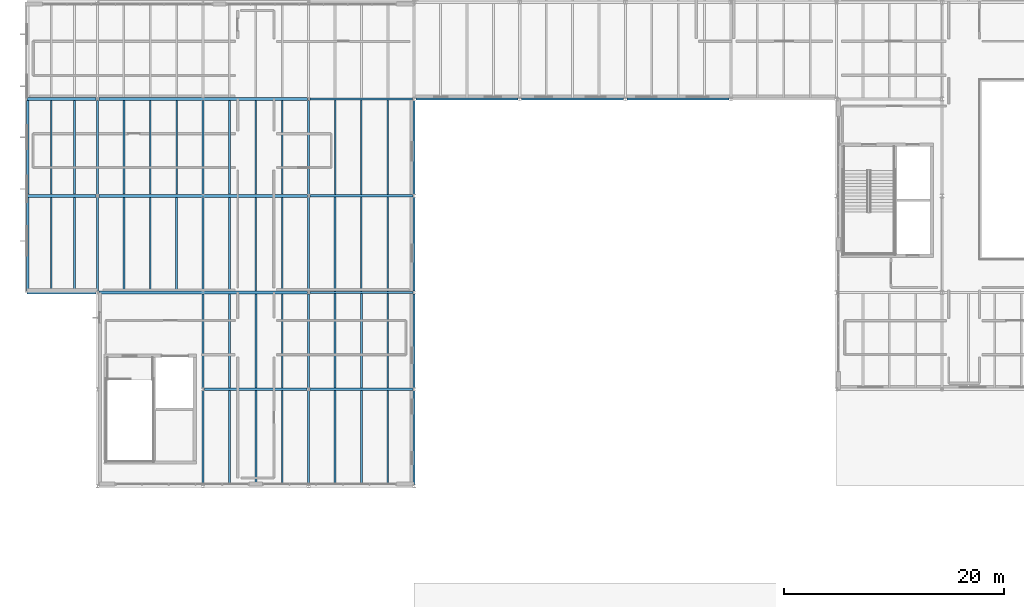
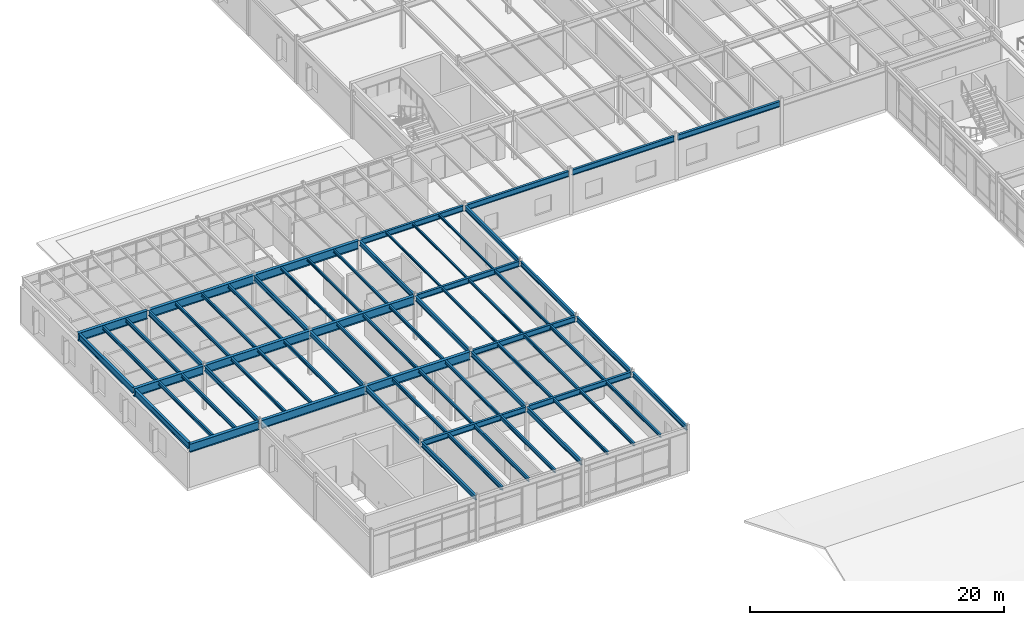
# One storey, part 19 of 69: 64 beams.
"""IFC4 building model written with IfcOpenShell, lengths in metres."""

import ifcopenshell
import ifcopenshell.guid

model = None  # the IFC model being written
_history = None  # IfcOwnerHistory: only IFC2X3 demands one
_inside = {}  # id of a spatial element -> (the spatial element, [elements in it])
_under = {}  # id of a project, library or spatial element -> (it, [spatial elements below it])
_declared = {}  # id of a project -> (the project, [libraries it declares])
_typed = {}  # id of a type object -> (the type object, [elements of that type])
_made_of = {}  # id of a material, layer set ... -> (it, [elements and type objects made of it])


def new_model(schema):
    """Start an empty IFC model of exactly this schema.

    Asked for "IFC4X3", IfcOpenShell would pick the latest addendum, in which some entities
    have other attributes; the version numbers below select the first issue.
    IFC2X3 requires an IfcOwnerHistory on every rooted entity: one is made here for all.
    """
    global model, _history
    if schema == "IFC4X3":
        model = ifcopenshell.file(schema_version=(4, 3, 0, 0))
    else:
        model = ifcopenshell.file(schema=schema)
    _inside.clear()
    _under.clear()
    _declared.clear()
    _typed.clear()
    _made_of.clear()
    _history = None
    if model.schema == "IFC2X3":
        org = make("IfcOrganization", Name="unknown")
        user = make(
            "IfcPersonAndOrganization",
            ThePerson=make("IfcPerson", FamilyName="unknown"),
            TheOrganization=org,
        )
        app = make(
            "IfcApplication",
            ApplicationDeveloper=org,
            Version="unknown",
            ApplicationFullName="unknown",
            ApplicationIdentifier="unknown",
        )
        _history = make(
            "IfcOwnerHistory",
            OwningUser=user,
            OwningApplication=app,
            ChangeAction="ADDED",
            CreationDate=0,
        )
    return model


def make(cls, **values):
    """One entity of the class cls with the attributes given. An attribute that is None is left unset."""
    return model.create_entity(
        cls, **{name: value for name, value in values.items() if value is not None}
    )


def rooted(cls, **values):
    """An entity with a GlobalId (a new one), such as an element, a storey or a relation."""
    return make(cls, GlobalId=ifcopenshell.guid.new(), OwnerHistory=_history, **values)


def si_unit(unit_type, name, prefix=None):
    """IfcSIUnit, for example si_unit("LENGTHUNIT", "METRE", prefix="MILLI")."""
    return make("IfcSIUnit", UnitType=unit_type, Prefix=prefix, Name=name)


def assignment(units):
    """IfcUnitAssignment: the units of a project."""
    return None if units is None else make("IfcUnitAssignment", Units=units)


def point(xyz):
    """IfcCartesianPoint."""
    return None if xyz is None else make("IfcCartesianPoint", Coordinates=xyz)


def direction(xyz):
    """IfcDirection."""
    return None if xyz is None else make("IfcDirection", DirectionRatios=xyz)


def frame(location, z_axis=None, x_axis=None):
    """IfcAxis2Placement3D, a coordinate frame: its origin and axes. An axis left out is left unset."""
    return make(
        "IfcAxis2Placement3D",
        Location=point(location),
        Axis=direction(z_axis),
        RefDirection=direction(x_axis),
    )


def frame_2d(location, x_axis=None):
    """IfcAxis2Placement2D, a coordinate frame in the plane: its origin and x axis."""
    return make(
        "IfcAxis2Placement2D", Location=point(location), RefDirection=direction(x_axis)
    )


def origin():
    """The frame at (0, 0, 0) with its axes left unset."""
    return frame((0.0, 0.0, 0.0))


def origin_2d():
    """The frame at (0, 0) in the plane with its x axis left unset."""
    return frame_2d((0.0, 0.0))


def place(relative_to, where):
    """IfcLocalPlacement: puts the frame where relative to a parent placement (None: the world)."""
    return make(
        "IfcLocalPlacement", PlacementRelTo=relative_to, RelativePlacement=where
    )


def context(
    kind, dimensions, precision=None, world=None, true_north=None, identifier=None
):
    """IfcGeometricRepresentationContext, for example the 3D "Model" context."""
    return make(
        "IfcGeometricRepresentationContext",
        ContextIdentifier=identifier,
        ContextType=kind,
        CoordinateSpaceDimension=dimensions,
        Precision=precision,
        WorldCoordinateSystem=world,
        TrueNorth=true_north,
    )


def subcontext(parent, identifier, kind, view, scale=None):
    """IfcGeometricRepresentationSubContext, for example "Body" below "Model"."""
    return make(
        "IfcGeometricRepresentationSubContext",
        ContextIdentifier=identifier,
        ContextType=kind,
        ParentContext=parent,
        TargetScale=scale,
        TargetView=view,
    )


def project(units=None, contexts=None):
    """IfcProject with its units and contexts."""
    return rooted(
        "IfcProject",
        Name="project",
        RepresentationContexts=contexts,
        UnitsInContext=assignment(units),
    )


def spatial(cls, under=None, at=None, **own):
    """A site, building, storey or space (cls), placed at a placement, below another one or the project."""
    s = rooted(cls, ObjectPlacement=at, **own)
    if under is not None:
        _under.setdefault(under.id(), (under, []))[1].append(s)
    return s


def profile(cls, at=None, kind="AREA", **sizes):
    """A parametric profile (cls). Its sizes go by their IFC names, for example OverallWidth=200.0."""
    return make(cls, ProfileType=kind, Position=at, **sizes)


def i_section(**sizes):
    """IfcIShapeProfileDef."""
    return profile("IfcIShapeProfileDef", **sizes)


def extrude(swept, where, along, depth):
    """IfcExtrudedAreaSolid: the profile swept, set in the frame where, extruded along a direction by depth."""
    return make(
        "IfcExtrudedAreaSolid",
        SweptArea=swept,
        Position=where,
        ExtrudedDirection=direction(along),
        Depth=depth,
    )


def shape(context_of_items, identifier, shape_type, items):
    """IfcShapeRepresentation: the items that make up one representation, for example the "Body"."""
    return make(
        "IfcShapeRepresentation",
        ContextOfItems=context_of_items,
        RepresentationIdentifier=identifier,
        RepresentationType=shape_type,
        Items=items,
    )


def material(Name=None, Category=None):
    """IfcMaterial."""
    return make("IfcMaterial", Name=Name, Category=Category)


def material_profile(
    of_material, cross_section, Name=None, Category=None, Priority=None
):
    """IfcMaterialProfile: a cross section and its material."""
    return make(
        "IfcMaterialProfile",
        Name=Name,
        Material=of_material,
        Profile=cross_section,
        Priority=Priority,
        Category=Category,
    )


def profile_set(profiles, Name=None, composite=None):
    """IfcMaterialProfileSet."""
    return make(
        "IfcMaterialProfileSet",
        Name=Name,
        MaterialProfiles=profiles,
        CompositeProfile=composite,
    )


def made_of(thing, what):
    """Note that an element or type object is made of a material, layer set ...; save() writes the relation."""
    if what is not None:
        _made_of.setdefault(what.id(), (what, []))[1].append(thing)
    return thing


def type_object(cls, material=None, **own):
    """A type object (cls), such as IfcWallType, which elements share."""
    return made_of(rooted(cls, **own), material)


def element(
    cls,
    number,
    at=None,
    inside=None,
    cuts=None,
    type_object=None,
    material=None,
    context=None,
    identifier="Body",
    shape_type=None,
    held_by="IfcProductDefinitionShape",
    body=None,
    shapes=None,
    **own,
):
    """One element of the class cls, such as IfcWall. Its Tag is "e" and its number.

    at: its placement. inside: the storey or other place that contains it. cuts: it is an
    opening in that element (IfcRelVoidsElement). A single representation is given by context,
    identifier, shape_type and body (its items); several are given by shapes. held_by: the class
    of the entity that holds the representations. save() writes the other relations.
    """
    e = rooted(cls, Tag="e%d" % number, ObjectPlacement=at, **own)
    if body is not None:
        shapes = [shape(context, identifier, shape_type, body)]
    if shapes is not None:
        e.Representation = make(held_by, Representations=shapes)
    if inside is not None:
        _inside.setdefault(inside.id(), (inside, []))[1].append(e)
    if cuts is not None:
        rooted(
            "IfcRelVoidsElement", RelatingBuildingElement=cuts, RelatedOpeningElement=e
        )
    if type_object is not None:
        _typed.setdefault(type_object.id(), (type_object, []))[1].append(e)
    return made_of(e, material)


def aggregate(whole, parts):
    """IfcRelAggregates: a whole, such as a stair, and the parts it consists of."""
    return rooted("IfcRelAggregates", RelatingObject=whole, RelatedObjects=parts)


def save(model, path):
    """Write the relations noted so far, then the file.

    IfcRelAggregates (storeys below a building ...), IfcRelContainedInSpatialStructure (elements
    in a storey), IfcRelDefinesByType, IfcRelAssociatesMaterial and IfcRelDeclares: one each for
    every whole, place, type object, material and project.
    """
    for whole, parts in _under.values():
        aggregate(whole, parts)
    for where, things in _inside.values():
        rooted(
            "IfcRelContainedInSpatialStructure",
            RelatedElements=things,
            RelatingStructure=where,
        )
    for kind, things in _typed.values():
        rooted("IfcRelDefinesByType", RelatedObjects=things, RelatingType=kind)
    for what, things in _made_of.values():
        rooted("IfcRelAssociatesMaterial", RelatedObjects=things, RelatingMaterial=what)
    for by, libraries in _declared.values():
        rooted("IfcRelDeclares", RelatingContext=by, RelatedDefinitions=libraries)
    model.write(path)


model = new_model("IFC4")

# Units and contexts
model_context = context("Model", 3, precision=1e-05, world=origin(), true_north=direction((0.0, 1.0)))
body_context = subcontext(model_context, "Body", "Model", "MODEL_VIEW")
ifc_project = project(units=[si_unit("LENGTHUNIT", "METRE"), si_unit("AREAUNIT", "SQUARE_METRE"), si_unit("VOLUMEUNIT", "CUBIC_METRE"), si_unit("PLANEANGLEUNIT", "RADIAN"), si_unit("MASSUNIT", "GRAM", prefix="KILO")], contexts=[model_context])

# Site, building, storey
site_placement = place(None, origin())
site = spatial("IfcSite", under=ifc_project, at=site_placement, CompositionType="ELEMENT")
building_placement = place(site_placement, origin())
building = spatial("IfcBuilding", under=site, at=building_placement, Name="Sarnbrook Museum", CompositionType="ELEMENT")
storey_placement = place(building_placement, frame((0.0, 0.0, 14.60009765625)))
storey = spatial("IfcBuildingStorey", under=building, at=storey_placement, Name="L03", CompositionType="ELEMENT", Elevation=14.60009765625)

# Beams
ifc_material_1 = material(Name="Structural Steel Grade 300PLUS (AS/NZS 3679.1, fy = 280 MPa for 17 < t <= 40 mm, 300 MPa for t <= 17 mm)", Category="steel")
ifc_material_profile_1 = material_profile(ifc_material_1, i_section(OverallWidth=0.18994140625, OverallDepth=0.45703125, WebThickness=0.009033203125, FlangeThickness=0.014404296875, FilletRadius=0.011474609375, at=origin_2d()), Name="460UB74.6")
ifc_profile_set_1 = profile_set([ifc_material_profile_1], Name="Structural Steel Grade 300PLUS (AS/NZS 3679.1, fy = 280 MPa for 17 < t <= 40 mm, 300 MPa for t <= 17 mm)")
beam_type_1 = type_object("IfcBeamType", Name="BM-UB460", PredefinedType="BEAM", material=ifc_profile_set_1)
for number, where, z_axis, x_axis, name in (
    (1, (13.60009765625, 56.927001953125, 4.021484375), (0.0, 1.0, 0.0), (-1.0, 0.0, 0.0), "Girder 2:G-H L03"),
    (2, (13.60009765625, 65.72705078125, 4.021484375), (0.0, 1.0, 0.0), (-1.0, 0.0, 0.0), "Girder 2:H-J L03"),
):
    element("IfcBeam", number, at=place(storey_placement, frame(where, z_axis=z_axis, x_axis=x_axis)), inside=storey, type_object=beam_type_1, Name=name, PredefinedType="BEAM", context=body_context, shape_type="SweptSolid", body=[
        extrude(i_section(OverallWidth=0.18994140625, OverallDepth=0.45703125, WebThickness=0.009033203125, FlangeThickness=0.014404296875, FilletRadius=0.011474609375, at=origin_2d()), origin(), (0.0, 0.0, 1.0), 8.5458984375),
    ])
for number, where, z_axis, x_axis, name in (
    (3, (23.199951171875, 39.326904296875, 4.021484375), (0.0, 1.0, 0.0), (-1.0, 0.0, 0.0), "Girder 3:E-F L03"),
    (4, (23.199951171875, 48.126953125, 4.021484375), (0.0, 1.0, 0.0), (-1.0, 0.0, 0.0), "Girder 3:F-G L03"),
):
    element("IfcBeam", number, at=place(storey_placement, frame(where, z_axis=z_axis, x_axis=x_axis)), inside=storey, type_object=beam_type_1, Name=name, PredefinedType="BEAM", context=body_context, shape_type="SweptSolid", body=[
        extrude(i_section(OverallWidth=0.18994140625, OverallDepth=0.45703125, WebThickness=0.009033203125, FlangeThickness=0.014404296875, FilletRadius=0.011474609375, at=origin_2d()), origin(), (0.0, 0.0, 1.0), 8.546142578125),
    ])
for number, where, z_axis, x_axis, name in (
    (5, (23.199951171875, 56.927001953125, 4.021484375), (0.0, 1.0, 0.0), (-1.0, 0.0, 0.0), "Girder 3:G-H L03"),
    (6, (23.199951171875, 65.72705078125, 4.021484375), (0.0, 1.0, 0.0), (-1.0, 0.0, 0.0), "Girder 3:H-J L03"),
):
    element("IfcBeam", number, at=place(storey_placement, frame(where, z_axis=z_axis, x_axis=x_axis)), inside=storey, type_object=beam_type_1, Name=name, PredefinedType="BEAM", context=body_context, shape_type="SweptSolid", body=[
        extrude(i_section(OverallWidth=0.18994140625, OverallDepth=0.45703125, WebThickness=0.009033203125, FlangeThickness=0.014404296875, FilletRadius=0.011474609375, at=origin_2d()), origin(), (0.0, 0.0, 1.0), 8.5458984375),
    ])
for number, where, z_axis, x_axis, name in (
    (7, (32.800048828125, 39.326904296875, 4.021484375), (0.0, 1.0, 0.0), (-1.0, 0.0, 0.0), "Girder 4:E-F L03"),
    (8, (32.800048828125, 48.126953125, 4.021484375), (0.0, 1.0, 0.0), (-1.0, 0.0, 0.0), "Girder 4:F-G L03"),
):
    element("IfcBeam", number, at=place(storey_placement, frame(where, z_axis=z_axis, x_axis=x_axis)), inside=storey, type_object=beam_type_1, Name=name, PredefinedType="BEAM", context=body_context, shape_type="SweptSolid", body=[
        extrude(i_section(OverallWidth=0.18994140625, OverallDepth=0.45703125, WebThickness=0.009033203125, FlangeThickness=0.014404296875, FilletRadius=0.011474609375, at=origin_2d()), origin(), (0.0, 0.0, 1.0), 8.546142578125),
    ])
for number, where, z_axis, x_axis, name in (
    (9, (32.800048828125, 56.927001953125, 4.021484375), (0.0, 1.0, 0.0), (-1.0, 0.0, 0.0), "Girder 4:G-H L03"),
    (10, (32.800048828125, 65.72705078125, 4.021484375), (0.0, 1.0, 0.0), (-1.0, 0.0, 0.0), "Girder 4:H-J L03"),
):
    element("IfcBeam", number, at=place(storey_placement, frame(where, z_axis=z_axis, x_axis=x_axis)), inside=storey, type_object=beam_type_1, Name=name, PredefinedType="BEAM", context=body_context, shape_type="SweptSolid", body=[
        extrude(i_section(OverallWidth=0.18994140625, OverallDepth=0.45703125, WebThickness=0.009033203125, FlangeThickness=0.014404296875, FilletRadius=0.011474609375, at=origin_2d()), origin(), (0.0, 0.0, 1.0), 8.5458984375),
    ])
for number, where, z_axis, x_axis, name in (
    (11, (42.39990234375, 39.326904296875, 4.021484375), (0.0, 1.0, 0.0), (-1.0, 0.0, 0.0), "Girder 5:E-F L03"),
    (12, (42.39990234375, 48.126953125, 4.021484375), (0.0, 1.0, 0.0), (-1.0, 0.0, 0.0), "Girder 5:F-G L03"),
):
    element("IfcBeam", number, at=place(storey_placement, frame(where, z_axis=z_axis, x_axis=x_axis)), inside=storey, type_object=beam_type_1, Name=name, PredefinedType="BEAM", context=body_context, shape_type="SweptSolid", body=[
        extrude(i_section(OverallWidth=0.18994140625, OverallDepth=0.45703125, WebThickness=0.009033203125, FlangeThickness=0.014404296875, FilletRadius=0.011474609375, at=origin_2d()), origin(), (0.0, 0.0, 1.0), 8.546142578125),
    ])
beam_1_placement = place(storey_placement, frame((42.39990234375, 56.927001953125, 4.021484375), z_axis=(0.0, 1.0, 0.0), x_axis=(-1.0, 0.0, 0.0)))
element("IfcBeam", 13, at=beam_1_placement, inside=storey, type_object=beam_type_1, Name="Girder 5:G-H L03", PredefinedType="BEAM", context=body_context, shape_type="SweptSolid", body=[
    extrude(i_section(OverallWidth=0.18994140625, OverallDepth=0.45703125, WebThickness=0.009033203125, FlangeThickness=0.014404296875, FilletRadius=0.011474609375, at=origin_2d()), origin(), (0.0, 0.0, 1.0), 8.5458984375),
])
beam_2_placement = place(storey_placement, frame((42.39990234375, 65.72705078125, 4.021484375), z_axis=(0.0, 1.0, 0.0), x_axis=(-1.0, 0.0, 0.0)))
element("IfcBeam", 14, at=beam_2_placement, inside=storey, type_object=beam_type_1, Name="Girder 5:H-J L03", PredefinedType="BEAM", context=body_context, shape_type="SweptSolid", body=[
    extrude(i_section(OverallWidth=0.18994140625, OverallDepth=0.45703125, WebThickness=0.009033203125, FlangeThickness=0.014404296875, FilletRadius=0.011474609375, at=origin_2d()), origin(), (0.0, 0.0, 1.0), 8.515380859375),
])
ifc_material_profile_2 = material_profile(ifc_material_1, i_section(OverallWidth=0.208984375, OverallDepth=0.532958984375, WebThickness=0.01025390625, FlangeThickness=0.015625, FilletRadius=0.013916015625, at=origin_2d()), Name="530UB92.4")
ifc_profile_set_2 = profile_set([ifc_material_profile_2], Name="Structural Steel Grade 300PLUS (AS/NZS 3679.1, fy = 280 MPa for 17 < t <= 40 mm, 300 MPa for t <= 17 mm)")
beam_type_2 = type_object("IfcBeamType", Name="BM-UB530", PredefinedType="BEAM", material=ifc_profile_set_2)
beam_3_placement = place(storey_placement, frame((23.326904296875, 48.0, 3.9833984375), z_axis=(1.0, 0.0, 0.0), x_axis=(0.0, 1.0, 0.0)))
element("IfcBeam", 15, at=beam_3_placement, inside=storey, type_object=beam_type_2, Name="Girder F:3-4 L03", PredefinedType="BEAM", context=body_context, shape_type="SweptSolid", body=[
    extrude(i_section(OverallWidth=0.208984375, OverallDepth=0.532958984375, WebThickness=0.01025390625, FlangeThickness=0.015625, FilletRadius=0.013916015625, at=origin_2d()), origin(), (0.0, 0.0, 1.0), 9.34619140625),
])
for number, where, z_axis, x_axis, name in (
    (16, (32.927001953125, 48.0, 3.9833984375), (1.0, 0.0, 0.0), (0.0, 1.0, 0.0), "Girder F:4-5 L03"),
    (17, (32.927001953125, 56.800048828125, 3.9833984375), (1.0, 0.0, 0.0), (0.0, 1.0, 0.0), "Girder G:4-5 L03"),
    (18, (32.927001953125, 65.60009765625, 3.9833984375), (1.0, 0.0, 0.0), (0.0, 1.0, 0.0), "Girder H:4-5 L03"),
):
    element("IfcBeam", number, at=place(storey_placement, frame(where, z_axis=z_axis, x_axis=x_axis)), inside=storey, type_object=beam_type_2, Name=name, PredefinedType="BEAM", context=body_context, shape_type="SweptSolid", body=[
        extrude(i_section(OverallWidth=0.208984375, OverallDepth=0.532958984375, WebThickness=0.01025390625, FlangeThickness=0.015625, FilletRadius=0.013916015625, at=origin_2d()), origin(), (0.0, 0.0, 1.0), 9.345947265625),
    ])
beam_4_placement = place(storey_placement, frame((32.927001953125, 74.39990234375, 3.9833984375), z_axis=(1.0, 0.0, 0.0), x_axis=(0.0, 1.0, 0.0)))
element("IfcBeam", 19, at=beam_4_placement, inside=storey, type_object=beam_type_2, Name="Girder J:4-5 L03", PredefinedType="BEAM", context=body_context, shape_type="SweptSolid", body=[
    extrude(i_section(OverallWidth=0.208984375, OverallDepth=0.532958984375, WebThickness=0.01025390625, FlangeThickness=0.015625, FilletRadius=0.013916015625, at=origin_2d()), origin(), (0.0, 0.0, 1.0), 9.319580078125),
])
for number, where, z_axis, x_axis, name in (
    (20, (42.553466796875, 74.39990234375, 3.943359375), (1.0, 0.0, 0.0), (0.0, 1.0, 0.0), "Girder J:5-6 L03"),
    (21, (52.153564453125, 74.39990234375, 3.943359375), (1.0, 0.0, 0.0), (0.0, 1.0, 0.0), "Girder J:6-7 L03"),
    (22, (61.75341796875, 74.39990234375, 3.943359375), (1.0, 0.0, 0.0), (0.0, 1.0, 0.0), "Girder J:7-8 L03"),
):
    element("IfcBeam", number, at=place(storey_placement, frame(where, z_axis=z_axis, x_axis=x_axis)), inside=storey, type_object=beam_type_2, Name=name, PredefinedType="BEAM", context=body_context, shape_type="SweptSolid", body=[
        extrude(i_section(OverallWidth=0.208984375, OverallDepth=0.532958984375, WebThickness=0.01025390625, FlangeThickness=0.015625, FilletRadius=0.013916015625, at=origin_2d()), origin(), (0.0, 0.0, 1.0), 9.29296875),
    ])
ifc_material_profile_3 = material_profile(ifc_material_1, i_section(OverallWidth=0.22802734375, OverallDepth=0.60693359375, WebThickness=0.01123046875, FlangeThickness=0.017333984375, FilletRadius=0.013916015625, at=origin_2d()), Name="610UB113")
ifc_profile_set_3 = profile_set([ifc_material_profile_3], Name="Structural Steel Grade 300PLUS (AS/NZS 3679.1, fy = 280 MPa for 17 < t <= 40 mm, 300 MPa for t <= 17 mm)")
beam_type_3 = type_object("IfcBeamType", Name="BM-UB610", PredefinedType="BEAM", material=ifc_profile_set_3)
for number, where, z_axis, x_axis, name in (
    (23, (7.25, 56.949951171875, 3.9462890625), (0.0, 1.0, 0.0), (-1.0, 0.0, 0.0), "Cantilever Gallery Joist L03 X=7.25"),
    (24, (7.25, 65.75, 3.9462890625), (0.0, 1.0, 0.0), (-1.0, 0.0, 0.0), "Cantilever Gallery Joist L03 X=7.25"),
):
    element("IfcBeam", number, at=place(storey_placement, frame(where, z_axis=z_axis, x_axis=x_axis)), inside=storey, type_object=beam_type_3, Name=name, PredefinedType="BEAM", context=body_context, shape_type="SweptSolid", body=[
        extrude(i_section(OverallWidth=0.22802734375, OverallDepth=0.60693359375, WebThickness=0.01123046875, FlangeThickness=0.017333984375, FilletRadius=0.013916015625, at=origin_2d()), origin(), (0.0, 0.0, 1.0), 8.5),
    ])
ifc_material_2 = material(Name="Structural Steel Grade 350L0 (AS/NZS 3678, fy = 340 MPa for 20 < t <= 40 mm)", Category="steel")
ifc_material_profile_4 = material_profile(ifc_material_2, i_section(OverallWidth=0.27490234375, OverallDepth=0.800048828125, WebThickness=0.010009765625, FlangeThickness=0.01611328125, at=origin_2d()), Name="800WB146")
ifc_profile_set_4 = profile_set([ifc_material_profile_4], Name="Structural Steel Grade 350L0 (AS/NZS 3678, fy = 340 MPa for 20 < t <= 40 mm)")
beam_type_4 = type_object("IfcBeamType", Name="CR-CANT", PredefinedType="BEAM", material=ifc_profile_set_4)
beam_5_placement = place(storey_placement, frame((32.679931640625, 56.800048828125, 3.849853515625), z_axis=(-1.0, 0.0, 0.0), x_axis=(0.0, -1.0, 0.0)))
element("IfcBeam", 25, at=beam_5_placement, inside=storey, type_object=beam_type_4, Name="Cantilever Roof Girder TT1 Back-Span L03", PredefinedType="BEAM", context=body_context, shape_type="SweptSolid", body=[
    extrude(i_section(OverallWidth=0.27490234375, OverallDepth=0.800048828125, WebThickness=0.010009765625, FlangeThickness=0.01611328125, at=origin_2d()), origin(), (0.0, 0.0, 1.0), 18.9599609375),
])
beam_6_placement = place(storey_placement, frame((13.47998046875, 56.800048828125, 3.849853515625), z_axis=(-1.0, 0.0, 0.0), x_axis=(0.0, -1.0, 0.0)))
element("IfcBeam", 26, at=beam_6_placement, inside=storey, type_object=beam_type_4, Name="Cantilever Roof Girder TT1 Overhang L03", PredefinedType="BEAM", context=body_context, shape_type="SweptSolid", body=[
    extrude(i_section(OverallWidth=0.27490234375, OverallDepth=0.800048828125, WebThickness=0.010009765625, FlangeThickness=0.01611328125, at=origin_2d()), origin(), (0.0, 0.0, 1.0), 6.280029296875),
])
beam_7_placement = place(storey_placement, frame((32.679931640625, 65.60009765625, 3.849853515625), z_axis=(-1.0, 0.0, 0.0), x_axis=(0.0, -1.0, 0.0)))
element("IfcBeam", 27, at=beam_7_placement, inside=storey, type_object=beam_type_4, Name="Cantilever Roof Girder TT2 Back-Span L03", PredefinedType="BEAM", context=body_context, shape_type="SweptSolid", body=[
    extrude(i_section(OverallWidth=0.27490234375, OverallDepth=0.800048828125, WebThickness=0.010009765625, FlangeThickness=0.01611328125, at=origin_2d()), origin(), (0.0, 0.0, 1.0), 18.9599609375),
])
beam_8_placement = place(storey_placement, frame((13.47998046875, 65.60009765625, 3.849853515625), z_axis=(-1.0, 0.0, 0.0), x_axis=(0.0, -1.0, 0.0)))
element("IfcBeam", 28, at=beam_8_placement, inside=storey, type_object=beam_type_4, Name="Cantilever Roof Girder TT2 Overhang L03", PredefinedType="BEAM", context=body_context, shape_type="SweptSolid", body=[
    extrude(i_section(OverallWidth=0.27490234375, OverallDepth=0.800048828125, WebThickness=0.010009765625, FlangeThickness=0.01611328125, at=origin_2d()), origin(), (0.0, 0.0, 1.0), 6.280029296875),
])
beam_9_placement = place(storey_placement, frame((32.679931640625, 74.39990234375, 3.849853515625), z_axis=(-1.0, 0.0, 0.0), x_axis=(0.0, -1.0, 0.0)))
element("IfcBeam", 29, at=beam_9_placement, inside=storey, type_object=beam_type_4, Name="Cantilever Roof Girder TT3 Back-Span L03", PredefinedType="BEAM", context=body_context, shape_type="SweptSolid", body=[
    extrude(i_section(OverallWidth=0.27490234375, OverallDepth=0.800048828125, WebThickness=0.010009765625, FlangeThickness=0.01611328125, at=origin_2d()), origin(), (0.0, 0.0, 1.0), 18.9599609375),
])
beam_10_placement = place(storey_placement, frame((13.47998046875, 74.39990234375, 3.849853515625), z_axis=(-1.0, 0.0, 0.0), x_axis=(0.0, -1.0, 0.0)))
element("IfcBeam", 30, at=beam_10_placement, inside=storey, type_object=beam_type_4, Name="Cantilever Roof Girder TT3 Overhang L03", PredefinedType="BEAM", context=body_context, shape_type="SweptSolid", body=[
    extrude(i_section(OverallWidth=0.27490234375, OverallDepth=0.800048828125, WebThickness=0.010009765625, FlangeThickness=0.01611328125, at=origin_2d()), origin(), (0.0, 0.0, 1.0), 6.280029296875),
])
ifc_material_profile_5 = material_profile(ifc_material_1, i_section(OverallWidth=0.134033203125, OverallDepth=0.20703125, WebThickness=0.00634765625, FlangeThickness=0.009521484375, FilletRadius=0.0087890625, at=origin_2d()), Name="200UB29.8")
ifc_profile_set_5 = profile_set([ifc_material_profile_5], Name="Structural Steel Grade 300PLUS (AS/NZS 3679.1, fy = 280 MPa for 17 < t <= 40 mm, 300 MPa for t <= 17 mm)")
beam_type_5 = type_object("IfcBeamType", Name="JS-UB200", PredefinedType="JOIST", material=ifc_profile_set_5)
for number, where, z_axis, x_axis, name in (
    (31, (35.199951171875, 65.70458984375, 4.146484375), (0.0, 1.0, 0.0), (-1.0, 0.0, 0.0), "Composite Floor Joist 4H-1 L03"),
    (32, (37.60009765625, 65.70458984375, 4.146484375), (0.0, 1.0, 0.0), (-1.0, 0.0, 0.0), "Composite Floor Joist 4H-2 L03"),
    (33, (40.0, 65.70458984375, 4.146484375), (0.0, 1.0, 0.0), (-1.0, 0.0, 0.0), "Composite Floor Joist 4H-3 L03"),
):
    element("IfcBeam", number, at=place(storey_placement, frame(where, z_axis=z_axis, x_axis=x_axis)), inside=storey, type_object=beam_type_5, Name=name, PredefinedType="JOIST", context=body_context, shape_type="SweptSolid", body=[
        extrude(i_section(OverallWidth=0.134033203125, OverallDepth=0.20703125, WebThickness=0.00634765625, FlangeThickness=0.009521484375, FilletRadius=0.0087890625, at=origin_2d()), origin(), (0.0, 0.0, 1.0), 8.5908203125),
    ])
ifc_material_profile_6 = material_profile(ifc_material_1, i_section(OverallWidth=0.14599609375, OverallDepth=0.256103515625, WebThickness=0.00634765625, FlangeThickness=0.010986328125, FilletRadius=0.0087890625, at=origin_2d()), Name="250UB37.3")
ifc_profile_set_6 = profile_set([ifc_material_profile_6], Name="Structural Steel Grade 300PLUS (AS/NZS 3679.1, fy = 280 MPa for 17 < t <= 40 mm, 300 MPa for t <= 17 mm)")
beam_type_6 = type_object("IfcBeamType", Name="JS-UB250", PredefinedType="JOIST", material=ifc_profile_set_6)
for number, where, z_axis, x_axis, name in (
    (34, (25.60009765625, 65.75, 4.121826171875), (0.0, 1.0, 0.0), (-1.0, 0.0, 0.0), "Composite Floor Joist 3H-1 L03"),
    (35, (28.0, 65.75, 4.121826171875), (0.0, 1.0, 0.0), (-1.0, 0.0, 0.0), "Composite Floor Joist 3H-2 L03"),
    (36, (30.39990234375, 65.75, 4.121826171875), (0.0, 1.0, 0.0), (-1.0, 0.0, 0.0), "Composite Floor Joist 3H-3 L03"),
):
    element("IfcBeam", number, at=place(storey_placement, frame(where, z_axis=z_axis, x_axis=x_axis)), inside=storey, type_object=beam_type_6, Name=name, PredefinedType="JOIST", context=body_context, shape_type="SweptSolid", body=[
        extrude(i_section(OverallWidth=0.14599609375, OverallDepth=0.256103515625, WebThickness=0.00634765625, FlangeThickness=0.010986328125, FilletRadius=0.0087890625, at=origin_2d()), origin(), (0.0, 0.0, 1.0), 8.5),
    ])
for number, where, z_axis, x_axis, name in (
    (37, (35.199951171875, 56.904541015625, 4.121826171875), (0.0, 1.0, 0.0), (-1.0, 0.0, 0.0), "Composite Floor Joist 4G-1 L03"),
    (38, (37.60009765625, 56.904541015625, 4.121826171875), (0.0, 1.0, 0.0), (-1.0, 0.0, 0.0), "Composite Floor Joist 4G-2 L03"),
    (39, (40.0, 56.904541015625, 4.121826171875), (0.0, 1.0, 0.0), (-1.0, 0.0, 0.0), "Composite Floor Joist 4G-3 L03"),
):
    element("IfcBeam", number, at=place(storey_placement, frame(where, z_axis=z_axis, x_axis=x_axis)), inside=storey, type_object=beam_type_6, Name=name, PredefinedType="JOIST", context=body_context, shape_type="SweptSolid", body=[
        extrude(i_section(OverallWidth=0.14599609375, OverallDepth=0.256103515625, WebThickness=0.00634765625, FlangeThickness=0.010986328125, FilletRadius=0.0087890625, at=origin_2d()), origin(), (0.0, 0.0, 1.0), 8.591064453125),
    ])
ifc_material_profile_7 = material_profile(ifc_material_1, i_section(OverallWidth=0.1650390625, OverallDepth=0.303955078125, WebThickness=0.006103515625, FlangeThickness=0.01025390625, FilletRadius=0.011474609375, at=origin_2d()), Name="310UB40.4")
ifc_profile_set_7 = profile_set([ifc_material_profile_7], Name="Structural Steel Grade 300PLUS (AS/NZS 3679.1, fy = 280 MPa for 17 < t <= 40 mm, 300 MPa for t <= 17 mm)")
beam_type_7 = type_object("IfcBeamType", Name="JS-UB310", PredefinedType="JOIST", material=ifc_profile_set_7)
for number, where, z_axis, x_axis, name in (
    (40, (16.0, 65.75, 4.097900390625), (0.0, 1.0, 0.0), (-1.0, 0.0, 0.0), "Composite Floor Joist 2H-1 L03"),
    (41, (18.39990234375, 65.75, 4.097900390625), (0.0, 1.0, 0.0), (-1.0, 0.0, 0.0), "Composite Floor Joist 2H-2 L03"),
    (42, (20.800048828125, 65.75, 4.097900390625), (0.0, 1.0, 0.0), (-1.0, 0.0, 0.0), "Composite Floor Joist 2H-3 L03"),
    (43, (25.60009765625, 56.949951171875, 4.097900390625), (0.0, 1.0, 0.0), (-1.0, 0.0, 0.0), "Composite Floor Joist 3G-1 L03"),
    (44, (28.0, 56.949951171875, 4.097900390625), (0.0, 1.0, 0.0), (-1.0, 0.0, 0.0), "Composite Floor Joist 3G-2 L03"),
    (45, (30.39990234375, 56.949951171875, 4.097900390625), (0.0, 1.0, 0.0), (-1.0, 0.0, 0.0), "Composite Floor Joist 3G-3 L03"),
):
    element("IfcBeam", number, at=place(storey_placement, frame(where, z_axis=z_axis, x_axis=x_axis)), inside=storey, type_object=beam_type_7, Name=name, PredefinedType="JOIST", context=body_context, shape_type="SweptSolid", body=[
        extrude(i_section(OverallWidth=0.1650390625, OverallDepth=0.303955078125, WebThickness=0.006103515625, FlangeThickness=0.01025390625, FilletRadius=0.011474609375, at=origin_2d()), origin(), (0.0, 0.0, 1.0), 8.5),
    ])
for number, where, z_axis, x_axis, name in (
    (46, (35.199951171875, 48.1044921875, 4.097900390625), (0.0, 1.0, 0.0), (-1.0, 0.0, 0.0), "Composite Floor Joist 4F-1 L03"),
    (47, (37.60009765625, 48.1044921875, 4.097900390625), (0.0, 1.0, 0.0), (-1.0, 0.0, 0.0), "Composite Floor Joist 4F-2 L03"),
    (48, (40.0, 48.1044921875, 4.097900390625), (0.0, 1.0, 0.0), (-1.0, 0.0, 0.0), "Composite Floor Joist 4F-3 L03"),
):
    element("IfcBeam", number, at=place(storey_placement, frame(where, z_axis=z_axis, x_axis=x_axis)), inside=storey, type_object=beam_type_7, Name=name, PredefinedType="JOIST", context=body_context, shape_type="SweptSolid", body=[
        extrude(i_section(OverallWidth=0.1650390625, OverallDepth=0.303955078125, WebThickness=0.006103515625, FlangeThickness=0.01025390625, FilletRadius=0.011474609375, at=origin_2d()), origin(), (0.0, 0.0, 1.0), 8.591064453125),
    ])
ifc_material_profile_8 = material_profile(ifc_material_1, i_section(OverallWidth=0.166015625, OverallDepth=0.306884765625, WebThickness=0.006591796875, FlangeThickness=0.01171875, FilletRadius=0.011474609375, at=origin_2d()), Name="310UB46.2")
ifc_profile_set_8 = profile_set([ifc_material_profile_8], Name="Structural Steel Grade 300PLUS (AS/NZS 3679.1, fy = 280 MPa for 17 < t <= 40 mm, 300 MPa for t <= 17 mm)")
beam_type_8 = type_object("IfcBeamType", Name="JS-UB310H", PredefinedType="JOIST", material=ifc_profile_set_8)
for number, where, z_axis, x_axis, name in (
    (49, (16.0, 56.949951171875, 4.096435546875), (0.0, 1.0, 0.0), (-1.0, 0.0, 0.0), "Composite Floor Joist 2G-1 L03"),
    (50, (18.39990234375, 56.949951171875, 4.096435546875), (0.0, 1.0, 0.0), (-1.0, 0.0, 0.0), "Composite Floor Joist 2G-2 L03"),
    (51, (20.800048828125, 56.949951171875, 4.096435546875), (0.0, 1.0, 0.0), (-1.0, 0.0, 0.0), "Composite Floor Joist 2G-3 L03"),
):
    element("IfcBeam", number, at=place(storey_placement, frame(where, z_axis=z_axis, x_axis=x_axis)), inside=storey, type_object=beam_type_8, Name=name, PredefinedType="JOIST", context=body_context, shape_type="SweptSolid", body=[
        extrude(i_section(OverallWidth=0.166015625, OverallDepth=0.306884765625, WebThickness=0.006591796875, FlangeThickness=0.01171875, FilletRadius=0.011474609375, at=origin_2d()), origin(), (0.0, 0.0, 1.0), 8.5),
    ])
for number, where, z_axis, x_axis, name in (
    (52, (25.60009765625, 48.1044921875, 4.096435546875), (0.0, 1.0, 0.0), (-1.0, 0.0, 0.0), "Composite Floor Joist 3F-1 L03"),
    (53, (28.0, 48.1044921875, 4.096435546875), (0.0, 1.0, 0.0), (-1.0, 0.0, 0.0), "Composite Floor Joist 3F-2 L03"),
    (54, (30.39990234375, 48.1044921875, 4.096435546875), (0.0, 1.0, 0.0), (-1.0, 0.0, 0.0), "Composite Floor Joist 3F-3 L03"),
):
    element("IfcBeam", number, at=place(storey_placement, frame(where, z_axis=z_axis, x_axis=x_axis)), inside=storey, type_object=beam_type_8, Name=name, PredefinedType="JOIST", context=body_context, shape_type="SweptSolid", body=[
        extrude(i_section(OverallWidth=0.166015625, OverallDepth=0.306884765625, WebThickness=0.006591796875, FlangeThickness=0.01171875, FilletRadius=0.011474609375, at=origin_2d()), origin(), (0.0, 0.0, 1.0), 8.54541015625),
    ])
for number, where, z_axis, x_axis, name in (
    (55, (35.199951171875, 39.304443359375, 4.096435546875), (0.0, 1.0, 0.0), (-1.0, 0.0, 0.0), "Composite Floor Joist 4E-1 L03"),
    (56, (37.60009765625, 39.304443359375, 4.096435546875), (0.0, 1.0, 0.0), (-1.0, 0.0, 0.0), "Composite Floor Joist 4E-2 L03"),
    (57, (40.0, 39.304443359375, 4.096435546875), (0.0, 1.0, 0.0), (-1.0, 0.0, 0.0), "Composite Floor Joist 4E-3 L03"),
):
    element("IfcBeam", number, at=place(storey_placement, frame(where, z_axis=z_axis, x_axis=x_axis)), inside=storey, type_object=beam_type_8, Name=name, PredefinedType="JOIST", context=body_context, shape_type="SweptSolid", body=[
        extrude(i_section(OverallWidth=0.166015625, OverallDepth=0.306884765625, WebThickness=0.006591796875, FlangeThickness=0.01171875, FilletRadius=0.011474609375, at=origin_2d()), origin(), (0.0, 0.0, 1.0), 8.591064453125),
    ])
ifc_material_profile_9 = material_profile(ifc_material_1, i_section(OverallWidth=0.1708984375, OverallDepth=0.35595703125, WebThickness=0.00732421875, FlangeThickness=0.011474609375, FilletRadius=0.011474609375, at=origin_2d()), Name="360UB50.7")
ifc_profile_set_9 = profile_set([ifc_material_profile_9], Name="Structural Steel Grade 300PLUS (AS/NZS 3679.1, fy = 280 MPa for 17 < t <= 40 mm, 300 MPa for t <= 17 mm)")
beam_type_9 = type_object("IfcBeamType", Name="JS-UB360", PredefinedType="JOIST", material=ifc_profile_set_9)
for number, where, z_axis, x_axis, name in (
    (58, (25.60009765625, 39.304443359375, 4.072021484375), (0.0, 1.0, 0.0), (-1.0, 0.0, 0.0), "Composite Floor Joist 3E-1 L03"),
    (59, (28.0, 39.304443359375, 4.072021484375), (0.0, 1.0, 0.0), (-1.0, 0.0, 0.0), "Composite Floor Joist 3E-2 L03"),
    (60, (30.39990234375, 39.304443359375, 4.072021484375), (0.0, 1.0, 0.0), (-1.0, 0.0, 0.0), "Composite Floor Joist 3E-3 L03"),
):
    element("IfcBeam", number, at=place(storey_placement, frame(where, z_axis=z_axis, x_axis=x_axis)), inside=storey, type_object=beam_type_9, Name=name, PredefinedType="JOIST", context=body_context, shape_type="SweptSolid", body=[
        extrude(i_section(OverallWidth=0.1708984375, OverallDepth=0.35595703125, WebThickness=0.00732421875, FlangeThickness=0.011474609375, FilletRadius=0.011474609375, at=origin_2d()), origin(), (0.0, 0.0, 1.0), 8.591064453125),
    ])
for number, where, z_axis, x_axis, name in (
    (61, (9.39990234375, 56.949951171875, 4.072021484375), (0.0, 1.0, 0.0), (-1.0, 0.0, 0.0), "Cantilever Gallery Joist L03 X=9.4"),
    (62, (9.39990234375, 65.75, 4.072021484375), (0.0, 1.0, 0.0), (-1.0, 0.0, 0.0), "Cantilever Gallery Joist L03 X=9.4"),
    (63, (11.5, 56.949951171875, 4.072021484375), (0.0, 1.0, 0.0), (-1.0, 0.0, 0.0), "Cantilever Gallery Joist L03 X=11.5"),
    (64, (11.5, 65.75, 4.072021484375), (0.0, 1.0, 0.0), (-1.0, 0.0, 0.0), "Cantilever Gallery Joist L03 X=11.5"),
):
    element("IfcBeam", number, at=place(storey_placement, frame(where, z_axis=z_axis, x_axis=x_axis)), inside=storey, type_object=beam_type_9, Name=name, PredefinedType="JOIST", context=body_context, shape_type="SweptSolid", body=[
        extrude(i_section(OverallWidth=0.1708984375, OverallDepth=0.35595703125, WebThickness=0.00732421875, FlangeThickness=0.011474609375, FilletRadius=0.011474609375, at=origin_2d()), origin(), (0.0, 0.0, 1.0), 8.5),
    ])

save(model, "model.ifc")
